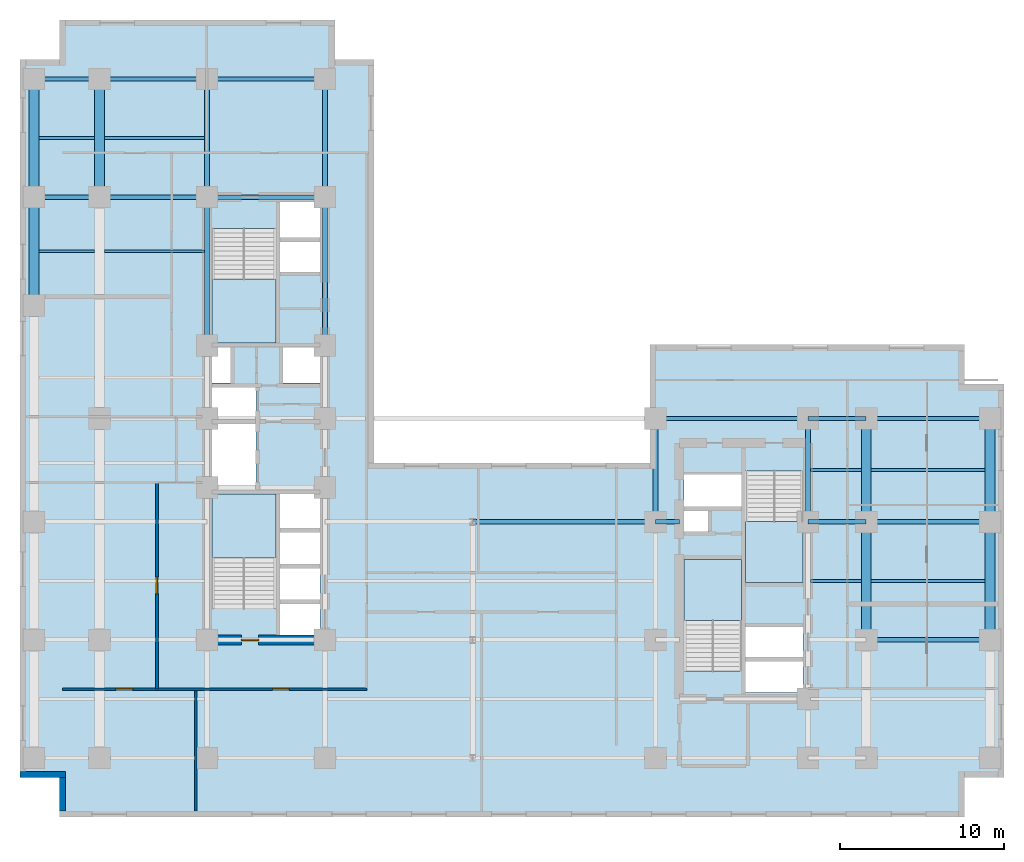
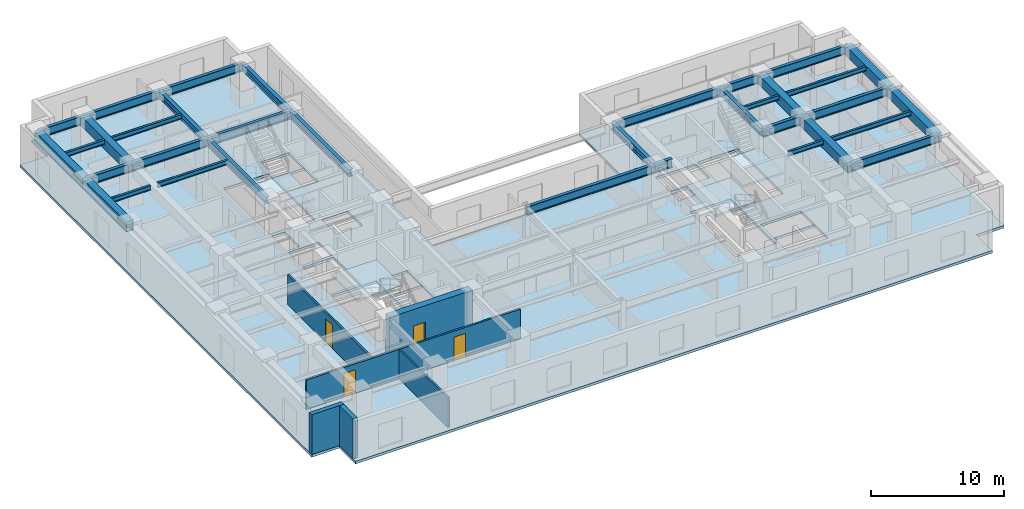
# One storey, part 2 of 9: 35 beams, 6 walls, 5 slabs, 4 doors, 4 openings, 4 elements without a shape of their own.
"""IFC4 building model written with IfcOpenShell, lengths in metres."""

from ifc_helpers import new_model, entity, si_unit, converted_unit, direction, frame, origin_with_axes, origin_2d_with_axis, place, context, subcontext, project, spatial, polyline, rectangle, i_section, outline, extrude, material, layer, layer_set, material_profile, profile_set, type_object, element, fill, aggregate, save


model = new_model("IFC4")

# Units and contexts
model_context = context("Model", 3, precision=1e-05, world=origin_with_axes(), true_north=direction((0.0, 1.0)))
body_context = subcontext(model_context, "Body", "Model", "MODEL_VIEW")
ifc_project = project(units=[si_unit("LENGTHUNIT", "METRE"), si_unit("AREAUNIT", "SQUARE_METRE"), si_unit("VOLUMEUNIT", "CUBIC_METRE"), converted_unit("PLANEANGLEUNIT", "DEGREE", entity("IfcPlaneAngleMeasure", 0.017453292519943295), si_unit("PLANEANGLEUNIT", "RADIAN"), dimensions=[0, 0, 0, 0, 0, 0, 0]), si_unit("MASSUNIT", "GRAM", prefix="KILO"), si_unit("THERMODYNAMICTEMPERATUREUNIT", "KELVIN")], contexts=[model_context])

# Site, building, storey
site_placement = place(None, origin_with_axes())
site = spatial("IfcSite", under=ifc_project, at=site_placement, CompositionType="ELEMENT")
building_placement = place(site_placement, origin_with_axes())
building = spatial("IfcBuilding", under=site, at=building_placement, Name="Varnlund Millrace Tower", CompositionType="ELEMENT")
storey_placement = place(building_placement, frame((0.0, 0.0, 32.7), z_axis=(0.0, 0.0, 1.0), x_axis=(1.0, 0.0, 0.0)))
storey = spatial("IfcBuildingStorey", under=building, at=storey_placement, Name="L07", CompositionType="ELEMENT", Elevation=32.7)

# Beams
ifc_material_1 = material(Name="Steel ASTM A992 Grade 50", Category="steel")
ifc_material_profile_1 = material_profile(ifc_material_1, i_section(OverallWidth=0.328, OverallDepth=0.628, WebThickness=0.0165, FlangeThickness=0.0277, FilletRadius=0.018, at=origin_2d_with_axis()), Name="Steel ASTM A992 Grade 50")
ifc_profile_set_1 = profile_set([ifc_material_profile_1], Name="Steel ASTM A992 Grade 50")
beam_type_1 = type_object("IfcBeamType", Name="Type-Girder-W24X146", PredefinedType="USERDEFINED", material=ifc_profile_set_1)
beam_1_placement = place(storey_placement, frame((11.4, 28.75, 3.346), z_axis=(0.0, 1.0, 0.0), x_axis=(-1.0, 0.0, 0.0)))
element("IfcBeam", 1, at=beam_1_placement, inside=storey, type_object=beam_type_1, Name="Type-Girder-W24X146", ObjectType="GIRDER", PredefinedType="USERDEFINED", context=body_context, shape_type="SweptSolid", body=[
    extrude(i_section(OverallWidth=0.328, OverallDepth=0.628, WebThickness=0.0165, FlangeThickness=0.0277, FilletRadius=0.018, at=origin_2d_with_axis()), origin_with_axes(), (0.0, 0.0, 1.0), 9.05),
])
beam_2_placement = place(storey_placement, frame((11.4, 37.8, 3.346), z_axis=(0.0, 1.0, 0.0), x_axis=(-1.0, 0.0, 0.0)))
element("IfcBeam", 2, at=beam_2_placement, inside=storey, type_object=beam_type_1, Name="Type-Girder-W24X146", ObjectType="GIRDER", PredefinedType="USERDEFINED", context=body_context, shape_type="SweptSolid", body=[
    extrude(i_section(OverallWidth=0.328, OverallDepth=0.628, WebThickness=0.0165, FlangeThickness=0.0277, FilletRadius=0.018, at=origin_2d_with_axis()), origin_with_axes(), (0.0, 0.0, 1.0), 7.2),
])
beam_3_placement = place(storey_placement, frame((18.6, 28.75, 3.346), z_axis=(0.0, 1.0, 0.0), x_axis=(-1.0, 0.0, 0.0)))
element("IfcBeam", 3, at=beam_3_placement, inside=storey, type_object=beam_type_1, Name="Type-Girder-W24X146", ObjectType="GIRDER", PredefinedType="USERDEFINED", context=body_context, shape_type="SweptSolid", body=[
    extrude(i_section(OverallWidth=0.328, OverallDepth=0.628, WebThickness=0.0165, FlangeThickness=0.0277, FilletRadius=0.018, at=origin_2d_with_axis()), origin_with_axes(), (0.0, 0.0, 1.0), 9.05),
])
beam_4_placement = place(storey_placement, frame((18.6, 37.8, 3.346), z_axis=(0.0, 1.0, 0.0), x_axis=(-1.0, 0.0, 0.0)))
element("IfcBeam", 4, at=beam_4_placement, inside=storey, type_object=beam_type_1, Name="Type-Girder-W24X146", ObjectType="GIRDER", PredefinedType="USERDEFINED", context=body_context, shape_type="SweptSolid", body=[
    extrude(i_section(OverallWidth=0.328, OverallDepth=0.628, WebThickness=0.0165, FlangeThickness=0.0277, FilletRadius=0.018, at=origin_2d_with_axis()), origin_with_axes(), (0.0, 0.0, 1.0), 7.2),
])
for number, where, z_axis, x_axis, name in (
    (5, (38.75, 18.0, 3.346), (0.0, 1.0, 0.0), (-1.0, 0.0, 0.0), "Type-Girder-W24X146"),
    (6, (48.05, 18.0, 3.346), (0.0, 1.0, 0.0), (-1.0, 0.0, 0.0), "Type-Girder-W24X146"),
):
    element("IfcBeam", number, at=place(storey_placement, frame(where, z_axis=z_axis, x_axis=x_axis)), inside=storey, type_object=beam_type_1, Name=name, ObjectType="GIRDER", PredefinedType="USERDEFINED", context=body_context, shape_type="SweptSolid", body=[
        extrude(i_section(OverallWidth=0.328, OverallDepth=0.628, WebThickness=0.0165, FlangeThickness=0.0277, FilletRadius=0.018, at=origin_2d_with_axis()), origin_with_axes(), (0.0, 0.0, 1.0), 6.3),
    ])
ifc_material_profile_2 = material_profile(ifc_material_1, i_section(OverallWidth=0.266, OverallDepth=0.779, WebThickness=0.0165, FlangeThickness=0.03, FilletRadius=0.02, at=origin_2d_with_axis()), Name="Steel ASTM A992 Grade 50")
ifc_profile_set_2 = profile_set([ifc_material_profile_2], Name="Steel ASTM A992 Grade 50")
beam_type_2 = type_object("IfcBeamType", Name="Type-Girder-W30X148", PredefinedType="USERDEFINED", material=ifc_profile_set_2)
beam_5_placement = place(storey_placement, frame((51.6, 10.8, 3.2705), z_axis=(1.0, 0.0, 0.0), x_axis=(0.0, 1.0, 0.0)))
element("IfcBeam", 7, at=beam_5_placement, inside=storey, type_object=beam_type_2, Name="Type-Girder-W30X148", ObjectType="GIRDER", PredefinedType="USERDEFINED", context=body_context, shape_type="SweptSolid", body=[
    extrude(i_section(OverallWidth=0.266, OverallDepth=0.779, WebThickness=0.0165, FlangeThickness=0.03, FilletRadius=0.02, at=origin_2d_with_axis()), origin_with_axes(), (0.0, 0.0, 1.0), 7.55),
])
beam_6_placement = place(storey_placement, frame((27.6, 18.0, 3.2705), z_axis=(1.0, 0.0, 0.0), x_axis=(0.0, 1.0, 0.0)))
element("IfcBeam", 8, at=beam_6_placement, inside=storey, type_object=beam_type_2, Name="Type-Girder-W30X148", ObjectType="GIRDER", PredefinedType="USERDEFINED", context=body_context, shape_type="SweptSolid", body=[
    extrude(i_section(OverallWidth=0.266, OverallDepth=0.779, WebThickness=0.0165, FlangeThickness=0.03, FilletRadius=0.02, at=origin_2d_with_axis()), origin_with_axes(), (0.0, 0.0, 1.0), 11.15),
])
beam_7_placement = place(storey_placement, frame((38.75, 18.0, 3.2705), z_axis=(1.0, 0.0, 0.0), x_axis=(0.0, 1.0, 0.0)))
element("IfcBeam", 9, at=beam_7_placement, inside=storey, type_object=beam_type_2, Name="Type-Girder-W30X148", ObjectType="GIRDER", PredefinedType="USERDEFINED", context=body_context, shape_type="SweptSolid", body=[
    extrude(i_section(OverallWidth=0.266, OverallDepth=0.779, WebThickness=0.0165, FlangeThickness=0.03, FilletRadius=0.02, at=origin_2d_with_axis()), origin_with_axes(), (0.0, 0.0, 1.0), 1.45),
])
beam_8_placement = place(storey_placement, frame((48.05, 18.0, 3.2705), z_axis=(1.0, 0.0, 0.0), x_axis=(0.0, 1.0, 0.0)))
element("IfcBeam", 10, at=beam_8_placement, inside=storey, type_object=beam_type_2, Name="Type-Girder-W30X148", ObjectType="GIRDER", PredefinedType="USERDEFINED", context=body_context, shape_type="SweptSolid", body=[
    extrude(i_section(OverallWidth=0.266, OverallDepth=0.779, WebThickness=0.0165, FlangeThickness=0.03, FilletRadius=0.02, at=origin_2d_with_axis()), origin_with_axes(), (0.0, 0.0, 1.0), 3.55),
])
beam_9_placement = place(storey_placement, frame((51.6, 18.0, 3.2705), z_axis=(1.0, 0.0, 0.0), x_axis=(0.0, 1.0, 0.0)))
element("IfcBeam", 11, at=beam_9_placement, inside=storey, type_object=beam_type_2, Name="Type-Girder-W30X148", ObjectType="GIRDER", PredefinedType="USERDEFINED", context=body_context, shape_type="SweptSolid", body=[
    extrude(i_section(OverallWidth=0.266, OverallDepth=0.779, WebThickness=0.0165, FlangeThickness=0.03, FilletRadius=0.02, at=origin_2d_with_axis()), origin_with_axes(), (0.0, 0.0, 1.0), 7.55),
])
beam_10_placement = place(storey_placement, frame((38.75, 24.3, 3.2705), z_axis=(1.0, 0.0, 0.0), x_axis=(0.0, 1.0, 0.0)))
element("IfcBeam", 12, at=beam_10_placement, inside=storey, type_object=beam_type_2, Name="Type-Girder-W30X148", ObjectType="GIRDER", PredefinedType="USERDEFINED", context=body_context, shape_type="SweptSolid", body=[
    extrude(i_section(OverallWidth=0.266, OverallDepth=0.779, WebThickness=0.0165, FlangeThickness=0.03, FilletRadius=0.02, at=origin_2d_with_axis()), origin_with_axes(), (0.0, 0.0, 1.0), 9.3),
])
beam_11_placement = place(storey_placement, frame((48.05, 24.3, 3.2705), z_axis=(1.0, 0.0, 0.0), x_axis=(0.0, 1.0, 0.0)))
element("IfcBeam", 13, at=beam_11_placement, inside=storey, type_object=beam_type_2, Name="Type-Girder-W30X148", ObjectType="GIRDER", PredefinedType="USERDEFINED", context=body_context, shape_type="SweptSolid", body=[
    extrude(i_section(OverallWidth=0.266, OverallDepth=0.779, WebThickness=0.0165, FlangeThickness=0.03, FilletRadius=0.02, at=origin_2d_with_axis()), origin_with_axes(), (0.0, 0.0, 1.0), 3.55),
])
beam_12_placement = place(storey_placement, frame((51.6, 24.3, 3.2705), z_axis=(1.0, 0.0, 0.0), x_axis=(0.0, 1.0, 0.0)))
element("IfcBeam", 14, at=beam_12_placement, inside=storey, type_object=beam_type_2, Name="Type-Girder-W30X148", ObjectType="GIRDER", PredefinedType="USERDEFINED", context=body_context, shape_type="SweptSolid", body=[
    extrude(i_section(OverallWidth=0.266, OverallDepth=0.779, WebThickness=0.0165, FlangeThickness=0.03, FilletRadius=0.02, at=origin_2d_with_axis()), origin_with_axes(), (0.0, 0.0, 1.0), 7.55),
])
beam_13_placement = place(storey_placement, frame((0.85, 37.8, 3.2705), z_axis=(1.0, 0.0, 0.0), x_axis=(0.0, 1.0, 0.0)))
element("IfcBeam", 15, at=beam_13_placement, inside=storey, type_object=beam_type_2, Name="Type-Girder-W30X148", ObjectType="GIRDER", PredefinedType="USERDEFINED", context=body_context, shape_type="SweptSolid", body=[
    extrude(i_section(OverallWidth=0.266, OverallDepth=0.779, WebThickness=0.0165, FlangeThickness=0.03, FilletRadius=0.02, at=origin_2d_with_axis()), origin_with_axes(), (0.0, 0.0, 1.0), 4.0),
])
beam_14_placement = place(storey_placement, frame((4.85, 37.8, 3.2705), z_axis=(1.0, 0.0, 0.0), x_axis=(0.0, 1.0, 0.0)))
element("IfcBeam", 16, at=beam_14_placement, inside=storey, type_object=beam_type_2, Name="Type-Girder-W30X148", ObjectType="GIRDER", PredefinedType="USERDEFINED", context=body_context, shape_type="SweptSolid", body=[
    extrude(i_section(OverallWidth=0.266, OverallDepth=0.779, WebThickness=0.0165, FlangeThickness=0.03, FilletRadius=0.02, at=origin_2d_with_axis()), origin_with_axes(), (0.0, 0.0, 1.0), 6.55),
])
beam_15_placement = place(storey_placement, frame((11.4, 37.8, 3.2705), z_axis=(1.0, 0.0, 0.0), x_axis=(0.0, 1.0, 0.0)))
element("IfcBeam", 17, at=beam_15_placement, inside=storey, type_object=beam_type_2, Name="Type-Girder-W30X148", ObjectType="GIRDER", PredefinedType="USERDEFINED", context=body_context, shape_type="SweptSolid", body=[
    extrude(i_section(OverallWidth=0.266, OverallDepth=0.779, WebThickness=0.0165, FlangeThickness=0.03, FilletRadius=0.02, at=origin_2d_with_axis()), origin_with_axes(), (0.0, 0.0, 1.0), 7.2),
])
beam_16_placement = place(storey_placement, frame((0.85, 45.0, 3.2705), z_axis=(1.0, 0.0, 0.0), x_axis=(0.0, 1.0, 0.0)))
element("IfcBeam", 18, at=beam_16_placement, inside=storey, type_object=beam_type_2, Name="Type-Girder-W30X148", ObjectType="GIRDER", PredefinedType="USERDEFINED", context=body_context, shape_type="SweptSolid", body=[
    extrude(i_section(OverallWidth=0.266, OverallDepth=0.779, WebThickness=0.0165, FlangeThickness=0.03, FilletRadius=0.02, at=origin_2d_with_axis()), origin_with_axes(), (0.0, 0.0, 1.0), 4.0),
])
beam_17_placement = place(storey_placement, frame((4.85, 45.0, 3.2705), z_axis=(1.0, 0.0, 0.0), x_axis=(0.0, 1.0, 0.0)))
element("IfcBeam", 19, at=beam_17_placement, inside=storey, type_object=beam_type_2, Name="Type-Girder-W30X148", ObjectType="GIRDER", PredefinedType="USERDEFINED", context=body_context, shape_type="SweptSolid", body=[
    extrude(i_section(OverallWidth=0.266, OverallDepth=0.779, WebThickness=0.0165, FlangeThickness=0.03, FilletRadius=0.02, at=origin_2d_with_axis()), origin_with_axes(), (0.0, 0.0, 1.0), 6.55),
])
beam_18_placement = place(storey_placement, frame((11.4, 45.0, 3.2705), z_axis=(1.0, 0.0, 0.0), x_axis=(0.0, 1.0, 0.0)))
element("IfcBeam", 20, at=beam_18_placement, inside=storey, type_object=beam_type_2, Name="Type-Girder-W30X148", ObjectType="GIRDER", PredefinedType="USERDEFINED", context=body_context, shape_type="SweptSolid", body=[
    extrude(i_section(OverallWidth=0.266, OverallDepth=0.779, WebThickness=0.0165, FlangeThickness=0.03, FilletRadius=0.02, at=origin_2d_with_axis()), origin_with_axes(), (0.0, 0.0, 1.0), 7.2),
])
ifc_material_profile_3 = material_profile(ifc_material_1, i_section(OverallWidth=0.181, OverallDepth=0.417, WebThickness=0.0109, FlangeThickness=0.0182, FilletRadius=0.013, at=origin_2d_with_axis()), Name="Steel ASTM A992 Grade 50")
ifc_profile_set_3 = profile_set([ifc_material_profile_3], Name="Steel ASTM A992 Grade 50")
beam_type_3 = type_object("IfcBeamType", Name="Type-Joist-W16X57", PredefinedType="JOIST", material=ifc_profile_set_3)
for number, where, z_axis, x_axis, name in (
    (21, (1.15, 34.5, 3.4515), (1.0, 0.0, 0.0), (0.0, 1.0, 0.0), "Type-Joist-W16X57"),
    (22, (1.15, 41.4, 3.4515), (1.0, 0.0, 0.0), (0.0, 1.0, 0.0), "Type-Joist-W16X57"),
):
    element("IfcBeam", number, at=place(storey_placement, frame(where, z_axis=z_axis, x_axis=x_axis)), inside=storey, type_object=beam_type_3, Name=name, PredefinedType="JOIST", context=body_context, shape_type="SweptSolid", body=[
        extrude(i_section(OverallWidth=0.181, OverallDepth=0.417, WebThickness=0.0109, FlangeThickness=0.0182, FilletRadius=0.013, at=origin_2d_with_axis()), origin_with_axes(), (0.0, 0.0, 1.0), 3.4),
    ])
for number, where, z_axis, x_axis, name in (
    (23, (5.15, 34.5, 3.4515), (1.0, 0.0, 0.0), (0.0, 1.0, 0.0), "Type-Joist-W16X57"),
    (24, (5.15, 41.4, 3.4515), (1.0, 0.0, 0.0), (0.0, 1.0, 0.0), "Type-Joist-W16X57"),
):
    element("IfcBeam", number, at=place(storey_placement, frame(where, z_axis=z_axis, x_axis=x_axis)), inside=storey, type_object=beam_type_3, Name=name, PredefinedType="JOIST", context=body_context, shape_type="SweptSolid", body=[
        extrude(i_section(OverallWidth=0.181, OverallDepth=0.417, WebThickness=0.0109, FlangeThickness=0.0182, FilletRadius=0.013, at=origin_2d_with_axis()), origin_with_axes(), (0.0, 0.0, 1.0), 6.086),
    ])
for number, where, z_axis, x_axis, name in (
    (25, (48.214, 14.4, 3.4515), (1.0, 0.0, 0.0), (0.0, 1.0, 0.0), "Type-Joist-W16X57"),
    (26, (48.214, 21.15, 3.4515), (1.0, 0.0, 0.0), (0.0, 1.0, 0.0), "Type-Joist-W16X57"),
):
    element("IfcBeam", number, at=place(storey_placement, frame(where, z_axis=z_axis, x_axis=x_axis)), inside=storey, type_object=beam_type_3, Name=name, PredefinedType="JOIST", context=body_context, shape_type="SweptSolid", body=[
        extrude(i_section(OverallWidth=0.181, OverallDepth=0.417, WebThickness=0.0109, FlangeThickness=0.0182, FilletRadius=0.013, at=origin_2d_with_axis()), origin_with_axes(), (0.0, 0.0, 1.0), 3.086),
    ])
for number, where, z_axis, x_axis, name in (
    (27, (51.9, 14.4, 3.4515), (1.0, 0.0, 0.0), (0.0, 1.0, 0.0), "Type-Joist-W16X57"),
    (28, (51.9, 21.15, 3.4515), (1.0, 0.0, 0.0), (0.0, 1.0, 0.0), "Type-Joist-W16X57"),
):
    element("IfcBeam", number, at=place(storey_placement, frame(where, z_axis=z_axis, x_axis=x_axis)), inside=storey, type_object=beam_type_3, Name=name, PredefinedType="JOIST", context=body_context, shape_type="SweptSolid", body=[
        extrude(i_section(OverallWidth=0.181, OverallDepth=0.417, WebThickness=0.0109, FlangeThickness=0.0182, FilletRadius=0.013, at=origin_2d_with_axis()), origin_with_axes(), (0.0, 0.0, 1.0), 6.95),
    ])
ifc_material_2 = material(Name="Concrete C70/85", Category="concrete")
ifc_material_profile_4 = material_profile(ifc_material_2, rectangle(XDim=0.6, YDim=0.9, at=origin_2d_with_axis()), Name="Concrete C70/85")
ifc_profile_set_4 = profile_set([ifc_material_profile_4], Name="Concrete C70/85")
beam_type_4 = type_object("IfcBeamType", Name="Type-Spandrel-RC600X900", PredefinedType="SPANDREL", material=ifc_profile_set_4)
beam_19_placement = place(storey_placement, frame((0.85, 31.2, 3.21), z_axis=(0.0, 1.0, 0.0), x_axis=(-1.0, 0.0, 0.0)))
element("IfcBeam", 29, at=beam_19_placement, inside=storey, type_object=beam_type_4, Name="Type-Spandrel-RC600X900", PredefinedType="SPANDREL", context=body_context, shape_type="SweptSolid", body=[
    extrude(rectangle(XDim=0.6, YDim=0.9, at=origin_2d_with_axis()), origin_with_axes(), (0.0, 0.0, 1.0), 6.6),
])
for number, where, z_axis, x_axis, name in (
    (30, (0.85, 37.8, 3.21), (0.0, 1.0, 0.0), (-1.0, 0.0, 0.0), "Type-Spandrel-RC600X900"),
    (31, (4.85, 37.8, 3.21), (0.0, 1.0, 0.0), (-1.0, 0.0, 0.0), "Type-Spandrel-RC600X900"),
    (32, (51.6, 10.8, 3.21), (0.0, 1.0, 0.0), (-1.0, 0.0, 0.0), "Type-Spandrel-RC600X900"),
):
    element("IfcBeam", number, at=place(storey_placement, frame(where, z_axis=z_axis, x_axis=x_axis)), inside=storey, type_object=beam_type_4, Name=name, PredefinedType="SPANDREL", context=body_context, shape_type="SweptSolid", body=[
        extrude(rectangle(XDim=0.6, YDim=0.9, at=origin_2d_with_axis()), origin_with_axes(), (0.0, 0.0, 1.0), 7.2),
    ])
beam_20_placement = place(storey_placement, frame((51.6, 18.0, 3.21), z_axis=(0.0, 1.0, 0.0), x_axis=(-1.0, 0.0, 0.0)))
element("IfcBeam", 33, at=beam_20_placement, inside=storey, type_object=beam_type_4, Name="Type-Spandrel-RC600X900", PredefinedType="SPANDREL", context=body_context, shape_type="SweptSolid", body=[
    extrude(rectangle(XDim=0.6, YDim=0.9, at=origin_2d_with_axis()), origin_with_axes(), (0.0, 0.0, 1.0), 6.3),
])
beam_21_placement = place(storey_placement, frame((59.15, 10.8, 3.21), z_axis=(0.0, 1.0, 0.0), x_axis=(-1.0, 0.0, 0.0)))
element("IfcBeam", 34, at=beam_21_placement, inside=storey, type_object=beam_type_4, Name="Type-Spandrel-RC600X900", PredefinedType="SPANDREL", context=body_context, shape_type="SweptSolid", body=[
    extrude(rectangle(XDim=0.6, YDim=0.9, at=origin_2d_with_axis()), origin_with_axes(), (0.0, 0.0, 1.0), 7.2),
])
beam_22_placement = place(storey_placement, frame((59.15, 18.0, 3.21), z_axis=(0.0, 1.0, 0.0), x_axis=(-1.0, 0.0, 0.0)))
element("IfcBeam", 35, at=beam_22_placement, inside=storey, type_object=beam_type_4, Name="Type-Spandrel-RC600X900", PredefinedType="SPANDREL", context=body_context, shape_type="SweptSolid", body=[
    extrude(rectangle(XDim=0.6, YDim=0.9, at=origin_2d_with_axis()), origin_with_axes(), (0.0, 0.0, 1.0), 6.3),
])

# Slab
ifc_material_3 = material(Name="Concrete C60/75", Category="concrete")
ifc_layer_1 = layer(ifc_material_3, 0.24, Name="Concrete C60/75")
ifc_layer_set_1 = layer_set([ifc_layer_1], Name="Concrete C60/75")
slab_type_1 = type_object("IfcSlabType", Name="Type-Deck-Plate-Typical-240", PredefinedType="FLOOR", material=ifc_layer_set_1)
slab_1_placement = place(storey_placement, frame((0.0, 0.0, -0.24), z_axis=(0.0, 0.0, 1.0), x_axis=(1.0, 0.0, 0.0)))
element("IfcSlab", 36, at=slab_1_placement, inside=storey, type_object=slab_type_1, Name="Type-Deck-Plate-Typical-240", PredefinedType="FLOOR", context=body_context, shape_type="SweptSolid", body=[
    extrude(outline(polyline([(21.6, 21.6), (21.6, 46.2), (19.2, 46.2), (19.2, 48.6), (2.4, 48.6), (2.4, 46.2), (0.0, 46.2), (0.0, 2.4), (2.4, 2.4), (2.4, 0.0), (57.6, 0.0), (57.6, 2.4), (60.0, 2.4), (60.0, 26.4), (57.6, 26.4), (57.6, 28.8), (38.4, 28.8), (38.4, 21.6), (21.6, 21.6)]), holes=[polyline([(18.3, 11.1), (15.84, 11.1), (15.84, 13.1), (18.3, 13.1), (18.3, 11.1)]), polyline([(18.3, 13.16), (15.84, 13.16), (15.84, 15.24), (18.3, 15.24), (18.3, 13.16)]), polyline([(15.6, 12.715), (11.7, 12.715), (11.7, 19.7), (15.6, 19.7), (15.6, 12.715)]), polyline([(18.3, 15.34), (15.84, 15.34), (15.84, 17.46), (18.3, 17.46), (18.3, 15.34)]), polyline([(18.3, 17.52), (15.84, 17.52), (15.84, 19.7), (18.3, 19.7), (18.3, 17.52)]), polyline([(14.38, 23.98), (14.38, 19.94), (11.7, 19.94), (11.7, 23.98), (14.38, 23.98)]), polyline([(11.7, 24.24), (11.7, 26.2), (14.38, 26.2), (14.38, 24.24), (11.7, 24.24)]), polyline([(11.7, 26.46), (11.7, 28.65), (12.84, 28.65), (12.84, 26.46), (11.7, 26.46)]), polyline([(15.6, 28.9), (11.7, 28.9), (11.7, 35.885), (15.6, 35.885), (15.6, 28.9)]), polyline([(47.75, 7.6), (44.25, 7.6), (44.25, 9.6), (47.75, 9.6), (47.75, 7.6)]), polyline([(47.75, 9.66), (44.25, 9.66), (44.25, 11.68), (47.75, 11.68), (47.75, 9.66)]), polyline([(40.5, 8.915), (40.5, 15.7), (44.0, 15.7), (44.0, 8.915), (40.5, 8.915)]), polyline([(44.25, 14.3), (44.25, 21.085), (47.75, 21.085), (47.75, 14.3), (44.25, 14.3)]), polyline([(41.95, 17.42), (40.5, 17.42), (40.5, 18.72), (41.95, 18.72), (41.95, 17.42)]), polyline([(44.0, 18.88), (40.5, 18.88), (40.5, 20.94), (44.0, 20.94), (44.0, 18.88)]), polyline([(18.3, 26.46), (16.04, 26.46), (16.04, 28.65), (18.3, 28.65), (18.3, 26.46)]), polyline([(15.84, 33.12), (15.84, 35.18), (18.3, 35.18), (18.3, 33.12), (15.84, 33.12)]), polyline([(15.84, 35.22), (15.84, 37.5), (18.3, 37.5), (18.3, 35.22), (15.84, 35.22)])]), origin_with_axes(), (0.0, 0.0, 1.0), 0.24),
])

# Stair, slab
ifc_material_4 = material(Name="Concrete C50/60", Category="concrete")
stair_type_1 = type_object("IfcStairType", Name="Type-Stair-Dogleg-185-390", PredefinedType="HALF_TURN_STAIR", material=ifc_material_4)
stair_1_placement = place(storey_placement, origin_with_axes())
stair_1 = element("IfcStair", 37, at=stair_1_placement, inside=storey, type_object=stair_type_1, Name="Type-Stair-Dogleg-185-390", PredefinedType="HALF_TURN_STAIR")
ifc_layer_2 = layer(ifc_material_4, 0.2, Name="Concrete C50/60")
ifc_layer_set_2 = layer_set([ifc_layer_2], Name="Concrete C50/60")
slab_type_2 = type_object("IfcSlabType", Name="Type-StairLanding-200", PredefinedType="LANDING", material=ifc_layer_set_2)
slab_2_placement = place(storey_placement, frame((0.0, 0.0, 1.75), z_axis=(0.0, 0.0, 1.0), x_axis=(1.0, 0.0, 0.0)))
slab_2 = element("IfcSlab", 38, at=slab_2_placement, type_object=slab_type_2, Name="ST-A1 landing 1", PredefinedType="LANDING", context=body_context, shape_type="SweptSolid", body=[
    extrude(outline(polyline([(15.6, 15.78), (15.6, 19.7), (11.7, 19.7), (11.7, 15.78), (15.6, 15.78)])), origin_with_axes(), (0.0, 0.0, 1.0), 0.2),
])
aggregate(stair_1, [slab_2])

stair_2_placement = place(storey_placement, origin_with_axes())
stair_2 = element("IfcStair", 39, at=stair_2_placement, inside=storey, type_object=stair_type_1, Name="Type-Stair-Dogleg-185-390", PredefinedType="HALF_TURN_STAIR")
slab_3_placement = place(storey_placement, frame((0.0, 0.0, 1.75), z_axis=(0.0, 0.0, 1.0), x_axis=(1.0, 0.0, 0.0)))
slab_3 = element("IfcSlab", 40, at=slab_3_placement, type_object=slab_type_2, Name="ST-A2 landing 1", PredefinedType="LANDING", context=body_context, shape_type="SweptSolid", body=[
    extrude(outline(polyline([(11.7, 32.82), (11.7, 28.9), (15.6, 28.9), (15.6, 32.82), (11.7, 32.82)])), origin_with_axes(), (0.0, 0.0, 1.0), 0.2),
])
aggregate(stair_2, [slab_3])

stair_type_2 = type_object("IfcStairType", Name="Type-Stair-Dogleg-165-390", PredefinedType="HALF_TURN_STAIR", material=ifc_material_4)
stair_3_placement = place(storey_placement, origin_with_axes())
stair_3 = element("IfcStair", 41, at=stair_3_placement, inside=storey, type_object=stair_type_2, Name="Type-Stair-Dogleg-165-390", PredefinedType="HALF_TURN_STAIR")
slab_4_placement = place(storey_placement, frame((0.0, 0.0, 1.75), z_axis=(0.0, 0.0, 1.0), x_axis=(1.0, 0.0, 0.0)))
slab_4 = element("IfcSlab", 42, at=slab_4_placement, type_object=slab_type_2, Name="ST-B1 landing 1", PredefinedType="LANDING", context=body_context, shape_type="SweptSolid", body=[
    extrude(outline(polyline([(44.0, 11.98), (44.0, 15.7), (40.5, 15.7), (40.5, 11.98), (44.0, 11.98)])), origin_with_axes(), (0.0, 0.0, 1.0), 0.2),
])
aggregate(stair_3, [slab_4])

stair_4_placement = place(storey_placement, origin_with_axes())
stair_4 = element("IfcStair", 43, at=stair_4_placement, inside=storey, type_object=stair_type_2, Name="Type-Stair-Dogleg-165-390", PredefinedType="HALF_TURN_STAIR")
slab_5_placement = place(storey_placement, frame((0.0, 0.0, 1.75), z_axis=(0.0, 0.0, 1.0), x_axis=(1.0, 0.0, 0.0)))
slab_5 = element("IfcSlab", 44, at=slab_5_placement, type_object=slab_type_2, Name="ST-B2 landing 1", PredefinedType="LANDING", context=body_context, shape_type="SweptSolid", body=[
    extrude(outline(polyline([(44.25, 18.02), (44.25, 14.3), (47.75, 14.3), (47.75, 18.02), (44.25, 18.02)])), origin_with_axes(), (0.0, 0.0, 1.0), 0.2),
])
aggregate(stair_4, [slab_5])

# Wall, opening, door
ifc_material_5 = material(Name="Concrete C80/95", Category="concrete")
ifc_layer_3 = layer(ifc_material_5, 0.6, Name="Concrete C80/95")
ifc_layer_set_3 = layer_set([ifc_layer_3], Name="Concrete C80/95")
wall_type_1 = type_object("IfcWallType", Name="Type-CoreWall-Shear-600-C80", PredefinedType="SHEAR", material=ifc_layer_set_3)
wall_1_placement = place(storey_placement, frame((11.4, 10.8, 0.0), z_axis=(0.0, 0.0, 1.0), x_axis=(1.0, 0.0, 0.0)))
wall_1 = element("IfcWall", 45, at=wall_1_placement, inside=storey, type_object=wall_type_1, Name="Type-CoreWall-Shear-600-C80", PredefinedType="SHEAR", context=body_context, shape_type="SweptSolid", body=[
    extrude(outline(polyline([(0.0, -0.3), (7.2, -0.3), (7.2, 0.3), (0.0, 0.3), (0.0, -0.3)])), origin_with_axes(), (0.0, 0.0, 1.0), 3.66),
])
opening_1_placement = place(wall_1_placement, frame((2.625, 0.0, 0.0), z_axis=(0.0, 0.0, 1.0), x_axis=(1.0, 0.0, 0.0)))
opening_1 = element("IfcOpeningElement", 46, at=opening_1_placement, cuts=wall_1, Name="Opening L07:DR-STA1", PredefinedType="OPENING", context=body_context, shape_type="SweptSolid", body=[
    extrude(rectangle(XDim=1.05, YDim=0.62, at=origin_2d_with_axis()), origin_with_axes(), (0.0, 0.0, 1.0), 2.15),
])
ifc_material_6 = material(Name="Fire-rated hollow steel door", Category="steel")
door_type_1 = type_object("IfcDoorType", Name="Type-FireDoor-Stair-1050X2150", OperationType="NOTDEFINED", PredefinedType="DOOR", material=ifc_material_6)
door_1_placement = place(wall_1_placement, frame((2.625, 0.0, 0.0), z_axis=(0.0, 0.0, 1.0), x_axis=(1.0, 0.0, 0.0)))
door_1 = element("IfcDoor", 47, at=door_1_placement, inside=storey, type_object=door_type_1, Name="Type-FireDoor-Stair-1050X2150", OperationType="SINGLE_SWING_LEFT", OverallHeight=2.15, OverallWidth=1.05, PredefinedType="DOOR", context=body_context, shape_type="SweptSolid", body=[
    extrude(rectangle(XDim=1.05, YDim=0.09, at=origin_2d_with_axis()), origin_with_axes(), (0.0, 0.0, 1.0), 2.15),
])
fill(opening_1, door_1)

# Walls
ifc_material_7 = material(Name="Precast concrete C50/60", Category="concrete")
ifc_layer_4 = layer(ifc_material_7, 0.38, Name="Precast concrete C50/60")
ifc_layer_set_4 = layer_set([ifc_layer_4], Name="Precast concrete C50/60")
wall_type_2 = type_object("IfcWallType", Name="Type-ExtWall-Precast-Tube-380", PredefinedType="SOLIDWALL", material=ifc_layer_set_4)
wall_2_placement = place(storey_placement, frame((2.59, 0.38, 0.0), z_axis=(0.0, 0.0, 1.0), x_axis=(0.0, 1.0, 0.0)))
element("IfcWall", 48, at=wall_2_placement, inside=storey, type_object=wall_type_2, Name="Type-ExtWall-Precast-Tube-380", PredefinedType="SOLIDWALL", context=body_context, shape_type="SweptSolid", body=[
    extrude(outline(polyline([(0.0, -0.19), (2.02, -0.19), (2.02, 0.19), (0.0, 0.19), (0.0, -0.19)])), origin_with_axes(), (0.0, 0.0, 1.0), 3.66),
])
wall_3_placement = place(storey_placement, frame((2.78, 2.59, 0.0), z_axis=(0.0, 0.0, 1.0), x_axis=(-1.0, 0.0, 0.0)))
element("IfcWall", 49, at=wall_3_placement, inside=storey, type_object=wall_type_2, Name="Type-ExtWall-Precast-Tube-380", PredefinedType="SOLIDWALL", context=body_context, shape_type="SweptSolid", body=[
    extrude(outline(polyline([(0.0, -0.19), (2.78, -0.19), (2.78, 0.19), (0.0, 0.19), (0.0, -0.19)])), origin_with_axes(), (0.0, 0.0, 1.0), 3.66),
])

# Wall, openings, doors
ifc_material_8 = material(Name="Fire-rated gypsum board on cold-formed steel framing", Category="steel")
ifc_layer_5 = layer(ifc_material_8, 0.16, Name="Fire-rated gypsum board on cold-formed steel framing")
ifc_layer_set_5 = layer_set([ifc_layer_5], Name="Fire-rated gypsum board on cold-formed steel framing")
wall_type_3 = type_object("IfcWallType", Name="Type-Partition-Corridor-160", PredefinedType="PARTITIONING", material=ifc_layer_set_5)
wall_4_placement = place(storey_placement, frame((2.6, 7.8, 0.0), z_axis=(0.0, 0.0, 1.0), x_axis=(1.0, 0.0, 0.0)))
wall_4 = element("IfcWall", 50, at=wall_4_placement, inside=storey, type_object=wall_type_3, Name="Type-Partition-Corridor-160", PredefinedType="PARTITIONING", context=body_context, shape_type="SweptSolid", body=[
    extrude(outline(polyline([(0.0, -0.08), (18.55, -0.08), (18.55, 0.08), (0.0, 0.08), (0.0, -0.08)])), origin_with_axes(), (0.0, 0.0, 1.0), 2.7),
])
opening_2_placement = place(wall_4_placement, frame((3.768, 0.0, 0.0), z_axis=(0.0, 0.0, 1.0), x_axis=(1.0, 0.0, 0.0)))
opening_2 = element("IfcOpeningElement", 51, at=opening_2_placement, cuts=wall_4, Name="Opening L07:DR-WAS-01", PredefinedType="OPENING", context=body_context, shape_type="SweptSolid", body=[
    extrude(rectangle(XDim=1.0, YDim=0.18, at=origin_2d_with_axis()), origin_with_axes(), (0.0, 0.0, 1.0), 2.15),
])
opening_3_placement = place(wall_4_placement, frame((13.3025, 0.0, 0.0), z_axis=(0.0, 0.0, 1.0), x_axis=(1.0, 0.0, 0.0)))
opening_3 = element("IfcOpeningElement", 52, at=opening_3_placement, cuts=wall_4, Name="Opening L07:DR-WAS-02", PredefinedType="OPENING", context=body_context, shape_type="SweptSolid", body=[
    extrude(rectangle(XDim=1.0, YDim=0.18, at=origin_2d_with_axis()), origin_with_axes(), (0.0, 0.0, 1.0), 2.15),
])
ifc_material_9 = material(Name="Solid-core white oak and bronze frame door")
door_type_2 = type_object("IfcDoorType", Name="Type-IntDoor-Office-1000X2150", OperationType="NOTDEFINED", PredefinedType="DOOR", material=ifc_material_9)
door_2_placement = place(wall_4_placement, frame((3.768, 0.0, 0.0), z_axis=(0.0, 0.0, 1.0), x_axis=(1.0, 0.0, 0.0)))
door_2 = element("IfcDoor", 53, at=door_2_placement, inside=storey, type_object=door_type_2, Name="Type-IntDoor-Office-1000X2150", OperationType="SINGLE_SWING_LEFT", OverallHeight=2.15, OverallWidth=1.0, PredefinedType="DOOR", context=body_context, shape_type="SweptSolid", body=[
    extrude(rectangle(XDim=1.0, YDim=0.09, at=origin_2d_with_axis()), origin_with_axes(), (0.0, 0.0, 1.0), 2.15),
])
fill(opening_2, door_2)
door_3_placement = place(wall_4_placement, frame((13.3025, 0.0, 0.0), z_axis=(0.0, 0.0, 1.0), x_axis=(1.0, 0.0, 0.0)))
door_3 = element("IfcDoor", 54, at=door_3_placement, inside=storey, type_object=door_type_2, Name="Type-IntDoor-Office-1000X2150", OperationType="SINGLE_SWING_RIGHT", OverallHeight=2.15, OverallWidth=1.0, PredefinedType="DOOR", context=body_context, shape_type="SweptSolid", body=[
    extrude(rectangle(XDim=1.0, YDim=0.09, at=origin_2d_with_axis()), origin_with_axes(), (0.0, 0.0, 1.0), 2.15),
])
fill(opening_3, door_3)

# Wall, opening, door
wall_5_placement = place(storey_placement, frame((8.35, 7.8, 0.0), z_axis=(0.0, 0.0, 1.0), x_axis=(0.0, 1.0, 0.0)))
wall_5 = element("IfcWall", 55, at=wall_5_placement, inside=storey, type_object=wall_type_3, Name="Type-Partition-Corridor-160", PredefinedType="PARTITIONING", context=body_context, shape_type="SweptSolid", body=[
    extrude(outline(polyline([(0.0, -0.08), (12.6, -0.08), (12.6, 0.08), (0.0, 0.08), (0.0, -0.08)])), origin_with_axes(), (0.0, 0.0, 1.0), 2.7),
])
opening_4_placement = place(wall_5_placement, frame((6.325, 0.0, 0.0), z_axis=(0.0, 0.0, 1.0), x_axis=(1.0, 0.0, 0.0)))
opening_4 = element("IfcOpeningElement", 56, at=opening_4_placement, cuts=wall_5, Name="Opening L07:DR-WS-01", PredefinedType="OPENING", context=body_context, shape_type="SweptSolid", body=[
    extrude(rectangle(XDim=1.0, YDim=0.18, at=origin_2d_with_axis()), origin_with_axes(), (0.0, 0.0, 1.0), 2.15),
])
door_4_placement = place(wall_5_placement, frame((6.325, 0.0, 0.0), z_axis=(0.0, 0.0, 1.0), x_axis=(1.0, 0.0, 0.0)))
door_4 = element("IfcDoor", 57, at=door_4_placement, inside=storey, type_object=door_type_2, Name="Type-IntDoor-Office-1000X2150", OperationType="SINGLE_SWING_LEFT", OverallHeight=2.15, OverallWidth=1.0, PredefinedType="DOOR", context=body_context, shape_type="SweptSolid", body=[
    extrude(rectangle(XDim=1.0, YDim=0.09, at=origin_2d_with_axis()), origin_with_axes(), (0.0, 0.0, 1.0), 2.15),
])
fill(opening_4, door_4)

# Wall
ifc_material_10 = material(Name="Acoustic STC-50 gypsum board partition", Category="gypsum")
ifc_layer_6 = layer(ifc_material_10, 0.15, Name="Acoustic STC-50 gypsum board partition")
ifc_layer_set_6 = layer_set([ifc_layer_6], Name="Acoustic STC-50 gypsum board partition")
wall_type_4 = type_object("IfcWallType", Name="Type-Partition-Demising-150", PredefinedType="PARTITIONING", material=ifc_layer_set_6)
wall_6_placement = place(storey_placement, frame((10.705, 0.36, 0.0), z_axis=(0.0, 0.0, 1.0), x_axis=(0.0, 1.0, 0.0)))
element("IfcWall", 58, at=wall_6_placement, inside=storey, type_object=wall_type_4, Name="Type-Partition-Demising-150", PredefinedType="PARTITIONING", context=body_context, shape_type="SweptSolid", body=[
    extrude(outline(polyline([(0.0, -0.075), (7.34, -0.075), (7.34, 0.075), (0.0, 0.075), (0.0, -0.075)])), origin_with_axes(), (0.0, 0.0, 1.0), 2.7),
])

save(model, "model.ifc")
